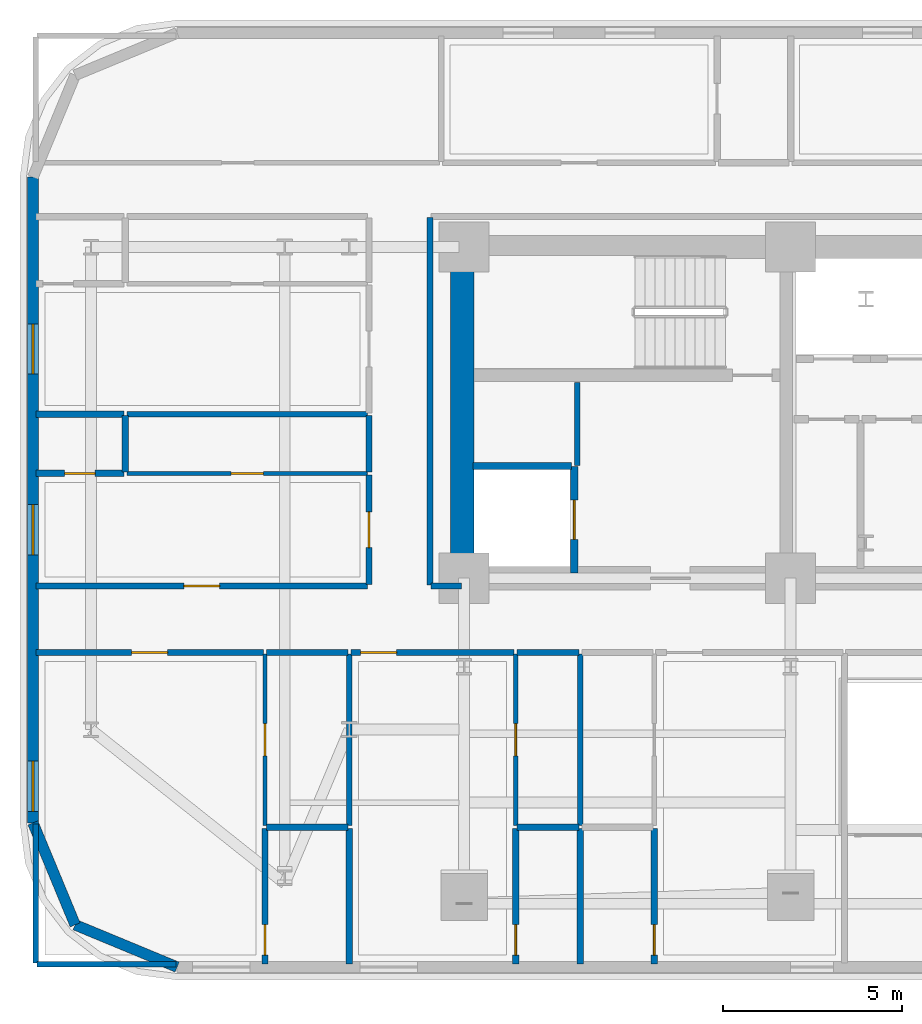
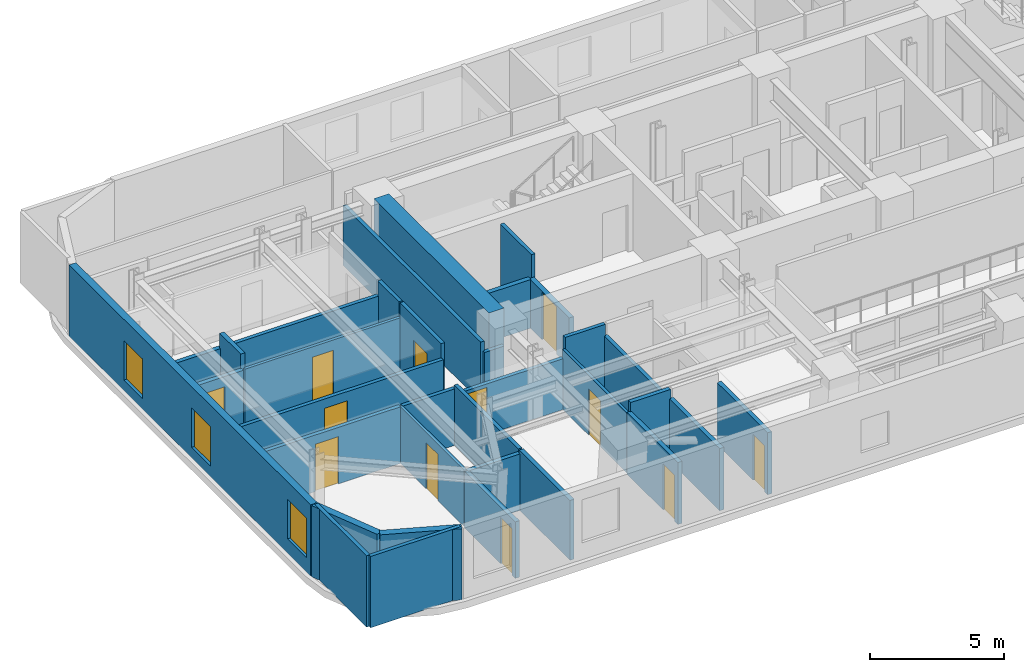
# One storey, part 8 of 16: 34 walls, 12 doors, 3 windows, 15 openings.
"""IFC4 building model written with IfcOpenShell, lengths in metres."""

import ifcopenshell
import ifcopenshell.guid

model = None  # the IFC model being written
_history = None  # IfcOwnerHistory: only IFC2X3 demands one
_inside = {}  # id of a spatial element -> (the spatial element, [elements in it])
_under = {}  # id of a project, library or spatial element -> (it, [spatial elements below it])
_declared = {}  # id of a project -> (the project, [libraries it declares])
_typed = {}  # id of a type object -> (the type object, [elements of that type])
_made_of = {}  # id of a material, layer set ... -> (it, [elements and type objects made of it])


def new_model(schema):
    """Start an empty IFC model of exactly this schema.

    Asked for "IFC4X3", IfcOpenShell would pick the latest addendum, in which some entities
    have other attributes; the version numbers below select the first issue.
    IFC2X3 requires an IfcOwnerHistory on every rooted entity: one is made here for all.
    """
    global model, _history
    if schema == "IFC4X3":
        model = ifcopenshell.file(schema_version=(4, 3, 0, 0))
    else:
        model = ifcopenshell.file(schema=schema)
    _inside.clear()
    _under.clear()
    _declared.clear()
    _typed.clear()
    _made_of.clear()
    _history = None
    if model.schema == "IFC2X3":
        org = make("IfcOrganization", Name="unknown")
        user = make(
            "IfcPersonAndOrganization",
            ThePerson=make("IfcPerson", FamilyName="unknown"),
            TheOrganization=org,
        )
        app = make(
            "IfcApplication",
            ApplicationDeveloper=org,
            Version="unknown",
            ApplicationFullName="unknown",
            ApplicationIdentifier="unknown",
        )
        _history = make(
            "IfcOwnerHistory",
            OwningUser=user,
            OwningApplication=app,
            ChangeAction="ADDED",
            CreationDate=0,
        )
    return model


def make(cls, **values):
    """One entity of the class cls with the attributes given. An attribute that is None is left unset."""
    return model.create_entity(
        cls, **{name: value for name, value in values.items() if value is not None}
    )


def rooted(cls, **values):
    """An entity with a GlobalId (a new one), such as an element, a storey or a relation."""
    return make(cls, GlobalId=ifcopenshell.guid.new(), OwnerHistory=_history, **values)


def si_unit(unit_type, name, prefix=None):
    """IfcSIUnit, for example si_unit("LENGTHUNIT", "METRE", prefix="MILLI")."""
    return make("IfcSIUnit", UnitType=unit_type, Prefix=prefix, Name=name)


def assignment(units):
    """IfcUnitAssignment: the units of a project."""
    return None if units is None else make("IfcUnitAssignment", Units=units)


def point(xyz):
    """IfcCartesianPoint."""
    return None if xyz is None else make("IfcCartesianPoint", Coordinates=xyz)


def direction(xyz):
    """IfcDirection."""
    return None if xyz is None else make("IfcDirection", DirectionRatios=xyz)


def frame(location, z_axis=None, x_axis=None):
    """IfcAxis2Placement3D, a coordinate frame: its origin and axes. An axis left out is left unset."""
    return make(
        "IfcAxis2Placement3D",
        Location=point(location),
        Axis=direction(z_axis),
        RefDirection=direction(x_axis),
    )


def frame_2d(location, x_axis=None):
    """IfcAxis2Placement2D, a coordinate frame in the plane: its origin and x axis."""
    return make(
        "IfcAxis2Placement2D", Location=point(location), RefDirection=direction(x_axis)
    )


def origin():
    """The frame at (0, 0, 0) with its axes left unset."""
    return frame((0.0, 0.0, 0.0))


def place(relative_to, where):
    """IfcLocalPlacement: puts the frame where relative to a parent placement (None: the world)."""
    return make(
        "IfcLocalPlacement", PlacementRelTo=relative_to, RelativePlacement=where
    )


def context(
    kind, dimensions, precision=None, world=None, true_north=None, identifier=None
):
    """IfcGeometricRepresentationContext, for example the 3D "Model" context."""
    return make(
        "IfcGeometricRepresentationContext",
        ContextIdentifier=identifier,
        ContextType=kind,
        CoordinateSpaceDimension=dimensions,
        Precision=precision,
        WorldCoordinateSystem=world,
        TrueNorth=true_north,
    )


def subcontext(parent, identifier, kind, view, scale=None):
    """IfcGeometricRepresentationSubContext, for example "Body" below "Model"."""
    return make(
        "IfcGeometricRepresentationSubContext",
        ContextIdentifier=identifier,
        ContextType=kind,
        ParentContext=parent,
        TargetScale=scale,
        TargetView=view,
    )


def project(units=None, contexts=None):
    """IfcProject with its units and contexts."""
    return rooted(
        "IfcProject",
        Name="project",
        RepresentationContexts=contexts,
        UnitsInContext=assignment(units),
    )


def spatial(cls, under=None, at=None, **own):
    """A site, building, storey or space (cls), placed at a placement, below another one or the project."""
    s = rooted(cls, ObjectPlacement=at, **own)
    if under is not None:
        _under.setdefault(under.id(), (under, []))[1].append(s)
    return s


def profile(cls, at=None, kind="AREA", **sizes):
    """A parametric profile (cls). Its sizes go by their IFC names, for example OverallWidth=200.0."""
    return make(cls, ProfileType=kind, Position=at, **sizes)


def rectangle(**sizes):
    """IfcRectangleProfileDef."""
    return profile("IfcRectangleProfileDef", **sizes)


def extrude(swept, where, along, depth):
    """IfcExtrudedAreaSolid: the profile swept, set in the frame where, extruded along a direction by depth."""
    return make(
        "IfcExtrudedAreaSolid",
        SweptArea=swept,
        Position=where,
        ExtrudedDirection=direction(along),
        Depth=depth,
    )


def shape(context_of_items, identifier, shape_type, items):
    """IfcShapeRepresentation: the items that make up one representation, for example the "Body"."""
    return make(
        "IfcShapeRepresentation",
        ContextOfItems=context_of_items,
        RepresentationIdentifier=identifier,
        RepresentationType=shape_type,
        Items=items,
    )


def material(Name=None, Category=None):
    """IfcMaterial."""
    return make("IfcMaterial", Name=Name, Category=Category)


def layer(
    of_material, thickness, ventilated=None, Name=None, Category=None, Priority=None
):
    """IfcMaterialLayer: one layer of a wall or slab, of a material (None: an air gap)."""
    return make(
        "IfcMaterialLayer",
        Material=of_material,
        LayerThickness=thickness,
        IsVentilated=ventilated,
        Name=Name,
        Category=Category,
        Priority=Priority,
    )


def layer_set(layers, Name=None):
    """IfcMaterialLayerSet."""
    return make("IfcMaterialLayerSet", MaterialLayers=layers, LayerSetName=Name)


def made_of(thing, what):
    """Note that an element or type object is made of a material, layer set ...; save() writes the relation."""
    if what is not None:
        _made_of.setdefault(what.id(), (what, []))[1].append(thing)
    return thing


def type_object(cls, material=None, **own):
    """A type object (cls), such as IfcWallType, which elements share."""
    return made_of(rooted(cls, **own), material)


def element(
    cls,
    number,
    at=None,
    inside=None,
    cuts=None,
    type_object=None,
    material=None,
    context=None,
    identifier="Body",
    shape_type=None,
    held_by="IfcProductDefinitionShape",
    body=None,
    shapes=None,
    **own,
):
    """One element of the class cls, such as IfcWall. Its Tag is "e" and its number.

    at: its placement. inside: the storey or other place that contains it. cuts: it is an
    opening in that element (IfcRelVoidsElement). A single representation is given by context,
    identifier, shape_type and body (its items); several are given by shapes. held_by: the class
    of the entity that holds the representations. save() writes the other relations.
    """
    e = rooted(cls, Tag="e%d" % number, ObjectPlacement=at, **own)
    if body is not None:
        shapes = [shape(context, identifier, shape_type, body)]
    if shapes is not None:
        e.Representation = make(held_by, Representations=shapes)
    if inside is not None:
        _inside.setdefault(inside.id(), (inside, []))[1].append(e)
    if cuts is not None:
        rooted(
            "IfcRelVoidsElement", RelatingBuildingElement=cuts, RelatedOpeningElement=e
        )
    if type_object is not None:
        _typed.setdefault(type_object.id(), (type_object, []))[1].append(e)
    return made_of(e, material)


def fill(opening, filler):
    """IfcRelFillsElement: the door or window that sits in an opening."""
    return rooted(
        "IfcRelFillsElement",
        RelatingOpeningElement=opening,
        RelatedBuildingElement=filler,
    )


def aggregate(whole, parts):
    """IfcRelAggregates: a whole, such as a stair, and the parts it consists of."""
    return rooted("IfcRelAggregates", RelatingObject=whole, RelatedObjects=parts)


def save(model, path):
    """Write the relations noted so far, then the file.

    IfcRelAggregates (storeys below a building ...), IfcRelContainedInSpatialStructure (elements
    in a storey), IfcRelDefinesByType, IfcRelAssociatesMaterial and IfcRelDeclares: one each for
    every whole, place, type object, material and project.
    """
    for whole, parts in _under.values():
        aggregate(whole, parts)
    for where, things in _inside.values():
        rooted(
            "IfcRelContainedInSpatialStructure",
            RelatedElements=things,
            RelatingStructure=where,
        )
    for kind, things in _typed.values():
        rooted("IfcRelDefinesByType", RelatedObjects=things, RelatingType=kind)
    for what, things in _made_of.values():
        rooted("IfcRelAssociatesMaterial", RelatedObjects=things, RelatingMaterial=what)
    for by, libraries in _declared.values():
        rooted("IfcRelDeclares", RelatingContext=by, RelatedDefinitions=libraries)
    model.write(path)


model = new_model("IFC4")

# Units and contexts
model_context = context("Model", 3, precision=1e-05, world=origin(), true_north=direction((0.0, 1.0)))
body_context = subcontext(model_context, "Body", "Model", "MODEL_VIEW")
ifc_project = project(units=[si_unit("LENGTHUNIT", "METRE"), si_unit("AREAUNIT", "SQUARE_METRE"), si_unit("VOLUMEUNIT", "CUBIC_METRE"), si_unit("PLANEANGLEUNIT", "RADIAN"), si_unit("MASSUNIT", "GRAM", prefix="KILO")], contexts=[model_context])

# Site, building, storey
site_placement = place(None, origin())
site = spatial("IfcSite", under=ifc_project, at=site_placement, CompositionType="ELEMENT")
building_placement = place(site_placement, origin())
building = spatial("IfcBuilding", under=site, at=building_placement, Name="Zarnavel Station Tower", CompositionType="ELEMENT")
storey_placement = place(building_placement, frame((0.0, 0.0, 79.300048828125)))
storey = spatial("IfcBuildingStorey", under=building, at=storey_placement, Name="L21", CompositionType="ELEMENT", Elevation=79.300048828125)

# Wall
ifc_material_1 = material(Name="Concrete C60/75", Category="concrete")
ifc_layer_1 = layer(ifc_material_1, 0.64990234375)
ifc_layer_set_1 = layer_set([ifc_layer_1], Name="CW_650")
wall_type_1 = type_object("IfcWallType", Name="CW_650", PredefinedType="SHEAR", material=ifc_layer_set_1)
wall_1_placement = place(storey_placement, frame((12.14990234375, 28.14501953125, 0.0), z_axis=(0.0, 0.0, 1.0), x_axis=(0.0, 1.0, 0.0)))
element("IfcWall", 1, at=wall_1_placement, inside=storey, type_object=wall_type_1, Name="L21 Rear Core Shear Wall W", PredefinedType="SHEAR", context=body_context, shape_type="SweptSolid", body=[
    extrude(rectangle(XDim=8.580078125, YDim=0.64990234375, at=frame_2d((4.2900390625, 0.0))), origin(), (0.0, 0.0, 1.0), 3.5),
])

# Wall, openings, windows
ifc_material_2 = material(Name="Precast concrete C45/55 (Dark Basalt Finish)", Category="masonry")
ifc_layer_2 = layer(ifc_material_2, 0.300048828125)
ifc_layer_set_2 = layer_set([ifc_layer_2], Name="EW_BASALT_300")
wall_type_2 = type_object("IfcWallType", Name="EW_BASALT_300", PredefinedType="SOLIDWALL", material=ifc_layer_set_2)
wall_2_placement = place(storey_placement, frame((0.179931640625, 21.0, 0.0), z_axis=(0.0, 0.0, 1.0), x_axis=(0.0, 1.0, 0.0)))
wall_2 = element("IfcWall", 2, at=wall_2_placement, inside=storey, type_object=wall_type_2, Name="L21 Exterior Basalt Masonry Frame Wall 09", PredefinedType="SOLIDWALL", context=body_context, shape_type="SweptSolid", body=[
    extrude(rectangle(XDim=18.0, YDim=0.300048828125, at=frame_2d((9.0, 0.0))), origin(), (0.0, 0.0, 1.0), 3.239990234375),
])
opening_1_placement = place(wall_2_placement, frame((7.470458984375, 0.0, 0.47998046875)))
opening_1 = element("IfcOpeningElement", 3, at=opening_1_placement, cuts=wall_2, Name="Opening WN01", PredefinedType="OPENING", context=body_context, shape_type="SweptSolid", body=[
    extrude(rectangle(XDim=1.39990234375, YDim=1.800048828125, at=frame_2d((0.699951171875, 0.89990234375))), frame((0.0, 0.159912109375, 0.0), z_axis=(0.0, -1.0, 0.0), x_axis=(1.0, 0.0, 0.0)), (0.0, 0.0, 1.0), 0.320068359375),
])
opening_2_placement = place(wall_2_placement, frame((12.509033203125, 0.0, 0.47998046875)))
opening_2 = element("IfcOpeningElement", 4, at=opening_2_placement, cuts=wall_2, Name="Opening WN01", PredefinedType="OPENING", context=body_context, shape_type="SweptSolid", body=[
    extrude(rectangle(XDim=1.39990234375, YDim=1.800048828125, at=frame_2d((0.699951171875, 0.89990234375))), frame((0.0, 0.159912109375, 0.0), z_axis=(0.0, -1.0, 0.0), x_axis=(1.0, 0.0, 0.0)), (0.0, 0.0, 1.0), 0.320068359375),
])
opening_3_placement = place(wall_2_placement, frame((0.320068359375, 0.0, 0.64990234375)))
opening_3 = element("IfcOpeningElement", 5, at=opening_3_placement, cuts=wall_2, Name="Opening WN01", PredefinedType="OPENING", context=body_context, shape_type="SweptSolid", body=[
    extrude(rectangle(XDim=1.39990234375, YDim=1.800048828125, at=frame_2d((0.699951171875, 0.89990234375))), frame((0.0, 0.159912109375, 0.0), z_axis=(0.0, -1.0, 0.0), x_axis=(1.0, 0.0, 0.0)), (0.0, 0.0, 1.0), 0.320068359375),
])
ifc_material_3 = material(Name="Thermally Broken Black Aluminium and Low-E Dark Glass", Category="aluminium")
window_type = type_object("IfcWindowType", Name="WN_1400x1800", PartitioningType="DOUBLE_PANEL_VERTICAL", PredefinedType="WINDOW", material=ifc_material_3)
window_1_placement = place(opening_1_placement, origin())
window_1 = element("IfcWindow", 6, at=window_1_placement, inside=storey, type_object=window_type, Name="L21 Recessed Facade Window 01", OverallHeight=1.800048828125, OverallWidth=1.39990234375, PartitioningType="SINGLE_PANEL", PredefinedType="WINDOW", context=body_context, shape_type="SweptSolid", body=[
    extrude(rectangle(XDim=1.39990234375, YDim=1.800048828125, at=frame_2d((0.699951171875, 0.89990234375))), frame((0.0, 0.030029296875, 0.0), z_axis=(0.0, -1.0, 0.0), x_axis=(1.0, 0.0, 0.0)), (0.0, 0.0, 1.0), 0.06005859375),
])
fill(opening_1, window_1)
window_2_placement = place(opening_2_placement, origin())
window_2 = element("IfcWindow", 7, at=window_2_placement, inside=storey, type_object=window_type, Name="L21 Recessed Facade Window 02", OverallHeight=1.800048828125, OverallWidth=1.39990234375, PartitioningType="SINGLE_PANEL", PredefinedType="WINDOW", context=body_context, shape_type="SweptSolid", body=[
    extrude(rectangle(XDim=1.39990234375, YDim=1.800048828125, at=frame_2d((0.699951171875, 0.89990234375))), frame((0.0, 0.030029296875, 0.0), z_axis=(0.0, -1.0, 0.0), x_axis=(1.0, 0.0, 0.0)), (0.0, 0.0, 1.0), 0.06005859375),
])
fill(opening_2, window_2)
window_3_placement = place(opening_3_placement, origin())
window_3 = element("IfcWindow", 8, at=window_3_placement, inside=storey, type_object=window_type, Name="L21 Recessed Facade Window 03", OverallHeight=1.800048828125, OverallWidth=1.39990234375, PartitioningType="SINGLE_PANEL", PredefinedType="WINDOW", context=body_context, shape_type="SweptSolid", body=[
    extrude(rectangle(XDim=1.39990234375, YDim=1.800048828125, at=frame_2d((0.699951171875, 0.89990234375))), frame((0.0, 0.030029296875, 0.0), z_axis=(0.0, -1.0, 0.0), x_axis=(1.0, 0.0, 0.0)), (0.0, 0.0, 1.0), 0.06005859375),
])
fill(opening_3, window_3)

# Walls
for number, where, z_axis, x_axis, name in (
    (9, (1.357421875, 18.157470703125, 0.0), (0.0, 0.0, 1.0), (-0.382704529509, 0.923870793506, 0.0), "L21 Exterior Basalt Masonry Frame Wall 10"),
    (10, (4.199951171875, 16.97998046875, 0.0), (0.0, 0.0, 1.0), (-0.923870793506, 0.382704529509, 0.0), "L21 Exterior Basalt Masonry Frame Wall 11"),
):
    element("IfcWall", number, at=place(storey_placement, frame(where, z_axis=z_axis, x_axis=x_axis)), inside=storey, type_object=wall_type_2, Name=name, PredefinedType="SOLIDWALL", context=body_context, shape_type="SweptSolid", body=[
        extrude(rectangle(XDim=3.07666015625, YDim=0.300048828125, at=frame_2d((1.538330078125, 0.0))), origin(), (0.0, 0.0, 1.0), 3.239990234375),
    ])

# Wall, opening, door
ifc_material_4 = material(Name="Gypsum Twin-Stud Acoustic Fire Partition", Category="concrete")
ifc_layer_3 = layer(ifc_material_4, 0.159912109375)
ifc_layer_set_3 = layer_set([ifc_layer_3], Name="PT_DEMISE_160")
wall_type_3 = type_object("IfcWallType", Name="PT_DEMISE_160", PredefinedType="PARTITIONING", material=ifc_layer_set_3)
wall_3_placement = place(storey_placement, frame((0.260009765625, 27.60009765625, 0.0), z_axis=(0.0, 0.0, 1.0), x_axis=(1.0, 0.0, 0.0)))
wall_3 = element("IfcWall", 11, at=wall_3_placement, inside=storey, type_object=wall_type_3, Name="L21 Partition COR-S-FNW1R", PredefinedType="PARTITIONING", context=body_context, shape_type="SweptSolid", body=[
    extrude(rectangle(XDim=9.25, YDim=0.159912109375, at=frame_2d((4.625, 0.0))), origin(), (0.0, 0.0, 1.0), 2.570068359375),
])
opening_4_placement = place(wall_3_placement, frame((4.125, 0.0, 0.0)))
opening_4 = element("IfcOpeningElement", 12, at=opening_4_placement, cuts=wall_3, Name="Opening FD02", PredefinedType="OPENING", context=body_context, shape_type="SweptSolid", body=[
    extrude(rectangle(XDim=1.0, YDim=2.14990234375, at=frame_2d((0.5, 1.074951171875))), frame((0.0, 0.08984375, 0.0), z_axis=(0.0, -1.0, 0.0), x_axis=(1.0, 0.0, 0.0)), (0.0, 0.0, 1.0), 0.179931640625),
])
ifc_material_5 = material(Name="Painted Galvanised Steel and Hardwood Leaf", Category="steel")
door_type_1 = type_object("IfcDoorType", Name="ID_ENTRY_1000", OperationType="NOTDEFINED", PredefinedType="DOOR", material=ifc_material_5)
door_1_placement = place(opening_4_placement, origin())
door_1 = element("IfcDoor", 13, at=door_1_placement, inside=storey, type_object=door_type_1, Name="L21 Door COR-S-FNW1R", OperationType="SINGLE_SWING_LEFT", OverallHeight=2.14990234375, OverallWidth=1.0, PredefinedType="DOOR", context=body_context, shape_type="SweptSolid", body=[
    extrude(rectangle(XDim=1.0, YDim=2.14990234375, at=frame_2d((0.5, 1.074951171875))), frame((0.0, 0.02490234375, 0.0), z_axis=(0.0, -1.0, 0.0), x_axis=(1.0, 0.0, 0.0)), (0.0, 0.0, 1.0), 0.050048828125),
])
fill(opening_4, door_1)

wall_4_placement = place(storey_placement, frame((0.260009765625, 25.75, 0.0), z_axis=(0.0, 0.0, 1.0), x_axis=(1.0, 0.0, 0.0)))
wall_4 = element("IfcWall", 14, at=wall_4_placement, inside=storey, type_object=wall_type_3, Name="L21 Partition COR-S-HW1R", PredefinedType="PARTITIONING", context=body_context, shape_type="SweptSolid", body=[
    extrude(rectangle(XDim=6.35009765625, YDim=0.159912109375, at=frame_2d((3.175048828125, 0.0))), origin(), (0.0, 0.0, 1.0), 2.570068359375),
])
opening_5_placement = place(wall_4_placement, frame((2.675048828125, 0.0, 0.0)))
opening_5 = element("IfcOpeningElement", 15, at=opening_5_placement, cuts=wall_4, Name="Opening FD02", PredefinedType="OPENING", context=body_context, shape_type="SweptSolid", body=[
    extrude(rectangle(XDim=1.0, YDim=2.14990234375, at=frame_2d((0.5, 1.074951171875))), frame((0.0, 0.08984375, 0.0), z_axis=(0.0, -1.0, 0.0), x_axis=(1.0, 0.0, 0.0)), (0.0, 0.0, 1.0), 0.179931640625),
])
door_2_placement = place(opening_5_placement, origin())
door_2 = element("IfcDoor", 16, at=door_2_placement, inside=storey, type_object=door_type_1, Name="L21 Door COR-S-HW1R", OperationType="SINGLE_SWING_LEFT", OverallHeight=2.14990234375, OverallWidth=1.0, PredefinedType="DOOR", context=body_context, shape_type="SweptSolid", body=[
    extrude(rectangle(XDim=1.0, YDim=2.14990234375, at=frame_2d((0.5, 1.074951171875))), frame((0.0, 0.02490234375, 0.0), z_axis=(0.0, -1.0, 0.0), x_axis=(1.0, 0.0, 0.0)), (0.0, 0.0, 1.0), 0.050048828125),
])
fill(opening_5, door_2)

# Wall
wall_5_placement = place(storey_placement, frame((6.68994140625, 25.75, 0.0), z_axis=(0.0, 0.0, 1.0), x_axis=(1.0, 0.0, 0.0)))
element("IfcWall", 17, at=wall_5_placement, inside=storey, type_object=wall_type_3, Name="L21 Partition COR-S-HW1S", PredefinedType="PARTITIONING", context=body_context, shape_type="SweptSolid", body=[
    extrude(rectangle(XDim=2.27001953125, YDim=0.159912109375, at=frame_2d((1.135009765625, 0.0))), origin(), (0.0, 0.0, 1.0), 2.570068359375),
])

# Wall, opening, door
wall_6_placement = place(storey_placement, frame((9.0400390625, 25.75, 0.0), z_axis=(0.0, 0.0, 1.0), x_axis=(1.0, 0.0, 0.0)))
wall_6 = element("IfcWall", 18, at=wall_6_placement, inside=storey, type_object=wall_type_3, Name="L21 Partition COR-S-HW2R", PredefinedType="PARTITIONING", context=body_context, shape_type="SweptSolid", body=[
    extrude(rectangle(XDim=4.556884765625, YDim=0.159912109375, at=frame_2d((2.2783203125, 0.0))), origin(), (0.0, 0.0, 1.0), 2.31005859375),
])
opening_6_placement = place(wall_6_placement, frame((0.276611328125, 0.0, 0.0)))
opening_6 = element("IfcOpeningElement", 19, at=opening_6_placement, cuts=wall_6, Name="Opening FD02", PredefinedType="OPENING", context=body_context, shape_type="SweptSolid", body=[
    extrude(rectangle(XDim=1.0, YDim=2.14990234375, at=frame_2d((0.5, 1.074951171875))), frame((0.0, 0.08984375, 0.0), z_axis=(0.0, -1.0, 0.0), x_axis=(1.0, 0.0, 0.0)), (0.0, 0.0, 1.0), 0.179931640625),
])
door_3_placement = place(opening_6_placement, origin())
door_3 = element("IfcDoor", 20, at=door_3_placement, inside=storey, type_object=door_type_1, Name="L21 Door COR-S-HW2R", OperationType="SINGLE_SWING_RIGHT", OverallHeight=2.14990234375, OverallWidth=1.0, PredefinedType="DOOR", context=body_context, shape_type="SweptSolid", body=[
    extrude(rectangle(XDim=1.0, YDim=2.14990234375, at=frame_2d((0.5, 1.074951171875))), frame((0.0, 0.02490234375, 0.0), z_axis=(0.0, -1.0, 0.0), x_axis=(1.0, 0.0, 0.0)), (0.0, 0.0, 1.0), 0.050048828125),
])
fill(opening_6, door_3)

# Wall
wall_7_placement = place(storey_placement, frame((13.677001953125, 25.75, 0.0), z_axis=(0.0, 0.0, 1.0), x_axis=(1.0, 0.0, 0.0)))
element("IfcWall", 21, at=wall_7_placement, inside=storey, type_object=wall_type_3, Name="L21 Partition COR-S-HW2S", PredefinedType="PARTITIONING", context=body_context, shape_type="SweptSolid", body=[
    extrude(rectangle(XDim=1.722900390625, YDim=0.159912109375, at=frame_2d((0.861328125, 0.0))), origin(), (0.0, 0.0, 1.0), 3.239990234375),
])

# Wall, opening, door
wall_8_placement = place(storey_placement, frame((9.550048828125, 27.639892578125, 0.0), z_axis=(0.0, 0.0, 1.0), x_axis=(0.0, 1.0, 0.0)))
wall_8 = element("IfcWall", 22, at=wall_8_placement, inside=storey, type_object=wall_type_3, Name="L21 Partition COR-W-FNW1R", PredefinedType="PARTITIONING", context=body_context, shape_type="SweptSolid", body=[
    extrude(rectangle(XDim=3.06103515625, YDim=0.159912109375, at=frame_2d((1.530517578125, 0.0))), origin(), (0.0, 0.0, 1.0), 3.239990234375),
])
opening_7_placement = place(wall_8_placement, frame((1.030517578125, 0.0, 0.0)))
opening_7 = element("IfcOpeningElement", 23, at=opening_7_placement, cuts=wall_8, Name="Opening FD02", PredefinedType="OPENING", context=body_context, shape_type="SweptSolid", body=[
    extrude(rectangle(XDim=1.0, YDim=2.14990234375, at=frame_2d((0.5, 1.074951171875))), frame((0.0, 0.08984375, 0.0), z_axis=(0.0, -1.0, 0.0), x_axis=(1.0, 0.0, 0.0)), (0.0, 0.0, 1.0), 0.179931640625),
])
door_4_placement = place(opening_7_placement, origin())
door_4 = element("IfcDoor", 24, at=door_4_placement, inside=storey, type_object=door_type_1, Name="L21 Door COR-W-FNW1R", OperationType="SINGLE_SWING_LEFT", OverallHeight=2.14990234375, OverallWidth=1.0, PredefinedType="DOOR", context=body_context, shape_type="SweptSolid", body=[
    extrude(rectangle(XDim=1.0, YDim=2.14990234375, at=frame_2d((0.5, 1.074951171875))), frame((0.0, 0.02490234375, 0.0), z_axis=(0.0, -1.0, 0.0), x_axis=(1.0, 0.0, 0.0)), (0.0, 0.0, 1.0), 0.050048828125),
])
fill(opening_7, door_4)

# Walls
wall_9_placement = place(storey_placement, frame((9.550048828125, 30.781005859375, 0.0), z_axis=(0.0, 0.0, 1.0), x_axis=(0.0, 1.0, 0.0)))
element("IfcWall", 25, at=wall_9_placement, inside=storey, type_object=wall_type_3, Name="L21 Partition COR-W-FNW1S", PredefinedType="PARTITIONING", context=body_context, shape_type="SweptSolid", body=[
    extrude(rectangle(XDim=1.570068359375, YDim=0.159912109375, at=frame_2d((0.78515625, 0.0))), origin(), (0.0, 0.0, 1.0), 3.239990234375),
])
wall_10_placement = place(storey_placement, frame((2.800048828125, 32.39111328125, 0.0), z_axis=(0.0, 0.0, 1.0), x_axis=(1.0, 0.0, 0.0)))
element("IfcWall", 26, at=wall_10_placement, inside=storey, type_object=wall_type_3, Name="L21 Partition FNW1S-FNW2R", PredefinedType="PARTITIONING", context=body_context, shape_type="SweptSolid", body=[
    extrude(rectangle(XDim=6.7099609375, YDim=0.159912109375, at=frame_2d((3.35498046875, 0.0))), origin(), (0.0, 0.0, 1.0), 2.570068359375),
])
for number, where, z_axis, x_axis, name in (
    (27, (9.0, 20.924072265625, 0.0), (0.0, 0.0, 1.0), (0.0, 1.0, 0.0), "L21 Partition HW1S-HW2R"),
    (28, (15.43994140625, 20.924072265625, 0.0), (0.0, 0.0, 1.0), (0.0, 1.0, 0.0), "L21 Partition HW2S-HW3S"),
):
    element("IfcWall", number, at=place(storey_placement, frame(where, z_axis=z_axis, x_axis=x_axis)), inside=storey, type_object=wall_type_3, Name=name, PredefinedType="PARTITIONING", context=body_context, shape_type="SweptSolid", body=[
        extrude(rectangle(XDim=4.785888671875, YDim=0.159912109375, at=frame_2d((2.39306640625, 0.0))), origin(), (0.0, 0.0, 1.0), 2.719970703125),
    ])
wall_11_placement = place(storey_placement, frame((15.35009765625, 30.9599609375, 0.0), z_axis=(0.0, 0.0, 1.0), x_axis=(0.0, 1.0, 0.0)))
element("IfcWall", 29, at=wall_11_placement, inside=storey, type_object=wall_type_3, Name="L21 Enclosure Wall FFL1", PredefinedType="PARTITIONING", context=body_context, shape_type="SweptSolid", body=[
    extrude(rectangle(XDim=2.31005859375, YDim=0.159912109375, at=frame_2d((1.155029296875, 0.0))), origin(), (0.0, 0.0, 1.0), 3.239990234375),
])
wall_12_placement = place(storey_placement, frame((11.280029296875, 27.60009765625, 0.0), z_axis=(0.0, 0.0, 1.0), x_axis=(1.0, 0.0, 0.0)))
element("IfcWall", 30, at=wall_12_placement, inside=storey, type_object=wall_type_3, Name="L21 Enclosure Wall COR-S", PredefinedType="PARTITIONING", context=body_context, shape_type="SweptSolid", body=[
    extrude(rectangle(XDim=0.840087890625, YDim=0.159912109375, at=frame_2d((0.419921875, 0.0))), origin(), (0.0, 0.0, 1.0), 2.280029296875),
])
wall_13_placement = place(storey_placement, frame((11.25, 27.6298828125, 0.0), z_axis=(0.0, 0.0, 1.0), x_axis=(0.0, 1.0, 0.0)))
element("IfcWall", 31, at=wall_13_placement, inside=storey, type_object=wall_type_3, Name="L21 Enclosure Wall COR-W", PredefinedType="PARTITIONING", context=body_context, shape_type="SweptSolid", body=[
    extrude(rectangle(XDim=10.240234375, YDim=0.159912109375, at=frame_2d((5.1201171875, 0.0))), origin(), (0.0, 0.0, 1.0), 2.719970703125),
])
for number, where, z_axis, x_axis, name in (
    (32, (0.2900390625, 17.06005859375, 0.0), (0.0, 0.0, 1.0), (1.0, 0.0, 0.0), "L21 Enclosure Wall HW1R"),
    (33, (0.260009765625, 17.090087890625, 0.0), (0.0, 0.0, 1.0), (0.0, 1.0, 0.0), "L21 Enclosure Wall HW1R"),
):
    element("IfcWall", number, at=place(storey_placement, frame(where, z_axis=z_axis, x_axis=x_axis)), inside=storey, type_object=wall_type_3, Name=name, PredefinedType="PARTITIONING", context=body_context, shape_type="SweptSolid", body=[
        extrude(rectangle(XDim=3.8798828125, YDim=0.159912109375, at=frame_2d((1.93994140625, 0.0))), origin(), (0.0, 0.0, 1.0), 3.239990234375),
    ])

# Wall, opening, door
ifc_material_6 = material(Name="Gypsum Metal-Stud Interior Partition", Category="concrete")
ifc_layer_4 = layer(ifc_material_6, 0.1201171875)
ifc_layer_set_4 = layer_set([ifc_layer_4], Name="PT_ROOM_120")
wall_type_4 = type_object("IfcWallType", Name="PT_ROOM_120", PredefinedType="PARTITIONING", material=ifc_layer_set_4)
wall_14_placement = place(storey_placement, frame((2.800048828125, 30.740966796875, 0.0), z_axis=(0.0, 0.0, 1.0), x_axis=(1.0, 0.0, 0.0)))
wall_14 = element("IfcWall", 34, at=wall_14_placement, inside=storey, type_object=wall_type_4, Name="L21 Partition FNW1R-FNW1S", PredefinedType="PARTITIONING", context=body_context, shape_type="SweptSolid", body=[
    extrude(rectangle(XDim=6.7099609375, YDim=0.1201171875, at=frame_2d((3.35498046875, 0.0))), origin(), (0.0, 0.0, 1.0), 2.570068359375),
])
opening_8_placement = place(wall_14_placement, frame((2.905029296875, 0.0, 0.0)))
opening_8 = element("IfcOpeningElement", 35, at=opening_8_placement, cuts=wall_14, Name="Opening ID01", PredefinedType="OPENING", context=body_context, shape_type="SweptSolid", body=[
    extrude(rectangle(XDim=0.89990234375, YDim=2.10009765625, at=frame_2d((0.449951171875, 1.050048828125))), frame((0.0, 0.070068359375, 0.0), z_axis=(0.0, -1.0, 0.0), x_axis=(1.0, 0.0, 0.0)), (0.0, 0.0, 1.0), 0.14013671875),
])
ifc_material_7 = material(Name="Painted Galvanised Steel and Hardwood Leaf", Category="steel")
door_type_2 = type_object("IfcDoorType", Name="ID_ROOM_900", OperationType="NOTDEFINED", PredefinedType="DOOR", material=ifc_material_7)
door_5_placement = place(opening_8_placement, origin())
door_5 = element("IfcDoor", 36, at=door_5_placement, inside=storey, type_object=door_type_2, Name="L21 Door FNW1R-FNW1S", OperationType="SINGLE_SWING_RIGHT", OverallHeight=2.10009765625, OverallWidth=0.89990234375, PredefinedType="DOOR", context=body_context, shape_type="SweptSolid", body=[
    extrude(rectangle(XDim=0.89990234375, YDim=2.10009765625, at=frame_2d((0.449951171875, 1.050048828125))), frame((0.0, 0.02490234375, 0.0), z_axis=(0.0, -1.0, 0.0), x_axis=(1.0, 0.0, 0.0)), (0.0, 0.0, 1.0), 0.050048828125),
])
fill(opening_8, door_5)

wall_15_placement = place(storey_placement, frame((6.64990234375, 20.924072265625, 0.0), z_axis=(0.0, 0.0, 1.0), x_axis=(0.0, 1.0, 0.0)))
wall_15 = element("IfcWall", 37, at=wall_15_placement, inside=storey, type_object=wall_type_4, Name="L21 Partition HW1R-HW1S", PredefinedType="PARTITIONING", context=body_context, shape_type="SweptSolid", body=[
    extrude(rectangle(XDim=4.785888671875, YDim=0.1201171875, at=frame_2d((2.39306640625, 0.0))), origin(), (0.0, 0.0, 1.0), 2.570068359375),
])
opening_9_placement = place(wall_15_placement, frame((1.943115234375, 0.0, 0.0)))
opening_9 = element("IfcOpeningElement", 38, at=opening_9_placement, cuts=wall_15, Name="Opening ID01", PredefinedType="OPENING", context=body_context, shape_type="SweptSolid", body=[
    extrude(rectangle(XDim=0.89990234375, YDim=2.10009765625, at=frame_2d((0.449951171875, 1.050048828125))), frame((0.0, 0.070068359375, 0.0), z_axis=(0.0, -1.0, 0.0), x_axis=(1.0, 0.0, 0.0)), (0.0, 0.0, 1.0), 0.14013671875),
])
door_6_placement = place(opening_9_placement, origin())
door_6 = element("IfcDoor", 39, at=door_6_placement, inside=storey, type_object=door_type_2, Name="L21 Door HW1R-HW1S", OperationType="SINGLE_SWING_LEFT", OverallHeight=2.10009765625, OverallWidth=0.89990234375, PredefinedType="DOOR", context=body_context, shape_type="SweptSolid", body=[
    extrude(rectangle(XDim=0.89990234375, YDim=2.10009765625, at=frame_2d((0.449951171875, 1.050048828125))), frame((0.0, 0.02490234375, 0.0), z_axis=(0.0, -1.0, 0.0), x_axis=(1.0, 0.0, 0.0)), (0.0, 0.0, 1.0), 0.050048828125),
])
fill(opening_9, door_6)

wall_16_placement = place(storey_placement, frame((13.636962890625, 20.924072265625, 0.0), z_axis=(0.0, 0.0, 1.0), x_axis=(0.0, 1.0, 0.0)))
wall_16 = element("IfcWall", 40, at=wall_16_placement, inside=storey, type_object=wall_type_4, Name="L21 Partition HW2R-HW2S", PredefinedType="PARTITIONING", context=body_context, shape_type="SweptSolid", body=[
    extrude(rectangle(XDim=4.785888671875, YDim=0.1201171875, at=frame_2d((2.39306640625, 0.0))), origin(), (0.0, 0.0, 1.0), 2.719970703125),
])
opening_10_placement = place(wall_16_placement, frame((1.943115234375, 0.0, 0.0)))
opening_10 = element("IfcOpeningElement", 41, at=opening_10_placement, cuts=wall_16, Name="Opening ID01", PredefinedType="OPENING", context=body_context, shape_type="SweptSolid", body=[
    extrude(rectangle(XDim=0.89990234375, YDim=2.10009765625, at=frame_2d((0.449951171875, 1.050048828125))), frame((0.0, 0.070068359375, 0.0), z_axis=(0.0, -1.0, 0.0), x_axis=(1.0, 0.0, 0.0)), (0.0, 0.0, 1.0), 0.14013671875),
])
door_7_placement = place(opening_10_placement, origin())
door_7 = element("IfcDoor", 42, at=door_7_placement, inside=storey, type_object=door_type_2, Name="L21 Door HW2R-HW2S", OperationType="SINGLE_SWING_LEFT", OverallHeight=2.10009765625, OverallWidth=0.89990234375, PredefinedType="DOOR", context=body_context, shape_type="SweptSolid", body=[
    extrude(rectangle(XDim=0.89990234375, YDim=2.10009765625, at=frame_2d((0.449951171875, 1.050048828125))), frame((0.0, 0.02490234375, 0.0), z_axis=(0.0, -1.0, 0.0), x_axis=(1.0, 0.0, 0.0)), (0.0, 0.0, 1.0), 0.050048828125),
])
fill(opening_10, door_7)

ifc_material_8 = material(Name="Precast concrete C45/55 (Fire Shaft Blockwork)", Category="masonry")
ifc_layer_5 = layer(ifc_material_8, 0.199951171875)
ifc_layer_set_5 = layer_set([ifc_layer_5], Name="PT_SHAFT_200")
wall_type_5 = type_object("IfcWallType", Name="PT_SHAFT_200", PredefinedType="PARTITIONING", material=ifc_layer_set_5)
wall_17_placement = place(storey_placement, frame((15.27001953125, 27.969970703125, 0.0), z_axis=(0.0, 0.0, 1.0), x_axis=(0.0, 1.0, 0.0)))
wall_17 = element("IfcWall", 43, at=wall_17_placement, inside=storey, type_object=wall_type_5, Name="L21 Lift FFL-01 Shaft Front Wall", PredefinedType="PARTITIONING", context=body_context, shape_type="SweptSolid", body=[
    extrude(rectangle(XDim=2.9599609375, YDim=0.199951171875, at=frame_2d((1.47998046875, 0.0))), origin(), (0.0, 0.0, 1.0), 2.2119140625),
])
opening_11_placement = place(wall_17_placement, frame((0.929931640625, 0.0, 0.0)))
opening_11 = element("IfcOpeningElement", 44, at=opening_11_placement, cuts=wall_17, Name="Opening LD01", PredefinedType="OPENING", context=body_context, shape_type="SweptSolid", body=[
    extrude(rectangle(XDim=1.10009765625, YDim=2.14990234375, at=frame_2d((0.550048828125, 1.074951171875))), frame((0.0, 0.10986328125, 0.0), z_axis=(0.0, -1.0, 0.0), x_axis=(1.0, 0.0, 0.0)), (0.0, 0.0, 1.0), 0.219970703125),
])
ifc_material_9 = material(Name="Painted Galvanised Steel and Hardwood Leaf", Category="steel")
door_type_3 = type_object("IfcDoorType", Name="LD_FF_1100", OperationType="DOUBLE_DOOR_SLIDING", PredefinedType="DOOR", material=ifc_material_9)
door_8_placement = place(opening_11_placement, origin())
door_8 = element("IfcDoor", 45, at=door_8_placement, inside=storey, type_object=door_type_3, Name="L21 Lift FFL-01 Sliding Landing Door", OperationType="DOUBLE_DOOR_SLIDING", OverallHeight=2.14990234375, OverallWidth=1.10009765625, PredefinedType="DOOR", context=body_context, shape_type="SweptSolid", body=[
    extrude(rectangle(XDim=1.10009765625, YDim=2.14990234375, at=frame_2d((0.550048828125, 1.074951171875))), frame((0.0, 0.02490234375, 0.0), z_axis=(0.0, -1.0, 0.0), x_axis=(1.0, 0.0, 0.0)), (0.0, 0.0, 1.0), 0.050048828125),
])
fill(opening_11, door_8)

# Wall
wall_18_placement = place(storey_placement, frame((12.449951171875, 30.949951171875, 0.0), z_axis=(0.0, 0.0, 1.0), x_axis=(1.0, 0.0, 0.0)))
element("IfcWall", 46, at=wall_18_placement, inside=storey, type_object=wall_type_5, Name="L21 Lift FFL-01 North Shaft Wall", PredefinedType="PARTITIONING", context=body_context, shape_type="SweptSolid", body=[
    extrude(rectangle(XDim=2.75, YDim=0.199951171875, at=frame_2d((1.375, 0.0))), origin(), (0.0, 0.0, 1.0), 2.2119140625),
])

# Wall, opening, door
ifc_material_10 = material(Name="Moisture-Resistant Plumbing Chase Wall", Category="concrete")
ifc_layer_6 = layer(ifc_material_10, 0.179931640625)
ifc_layer_set_6 = layer_set([ifc_layer_6], Name="PW_PLUMB_180")
wall_type_6 = type_object("IfcWallType", Name="PW_PLUMB_180", PredefinedType="PLUMBINGWALL", material=ifc_layer_set_6)
wall_19_placement = place(storey_placement, frame((0.260009765625, 30.740966796875, 0.0), z_axis=(0.0, 0.0, 1.0), x_axis=(1.0, 0.0, 0.0)))
wall_19 = element("IfcWall", 47, at=wall_19_placement, inside=storey, type_object=wall_type_6, Name="L21 Partition FNW1R-FNW1B", PredefinedType="PLUMBINGWALL", context=body_context, shape_type="SweptSolid", body=[
    extrude(rectangle(XDim=2.4599609375, YDim=0.179931640625, at=frame_2d((1.22998046875, 0.0))), origin(), (0.0, 0.0, 1.0), 2.570068359375),
])
opening_12_placement = place(wall_19_placement, frame((0.804931640625, 0.0, 0.0)))
opening_12 = element("IfcOpeningElement", 48, at=opening_12_placement, cuts=wall_19, Name="Opening ID02", PredefinedType="OPENING", context=body_context, shape_type="SweptSolid", body=[
    extrude(rectangle(XDim=0.85009765625, YDim=2.10009765625, at=frame_2d((0.425048828125, 1.050048828125))), frame((0.0, 0.099853515625, 0.0), z_axis=(0.0, -1.0, 0.0), x_axis=(1.0, 0.0, 0.0)), (0.0, 0.0, 1.0), 0.199951171875),
])
ifc_material_11 = material(Name="Painted Galvanised Steel and Hardwood Leaf", Category="steel")
door_type_4 = type_object("IfcDoorType", Name="ID_BATH_850", OperationType="NOTDEFINED", PredefinedType="DOOR", material=ifc_material_11)
door_9_placement = place(opening_12_placement, origin())
door_9 = element("IfcDoor", 49, at=door_9_placement, inside=storey, type_object=door_type_4, Name="L21 Door FNW1R-FNW1B", OperationType="SINGLE_SWING_LEFT", OverallHeight=2.10009765625, OverallWidth=0.85009765625, PredefinedType="DOOR", context=body_context, shape_type="SweptSolid", body=[
    extrude(rectangle(XDim=0.85009765625, YDim=2.10009765625, at=frame_2d((0.425048828125, 1.050048828125))), frame((0.0, 0.02490234375, 0.0), z_axis=(0.0, -1.0, 0.0), x_axis=(1.0, 0.0, 0.0)), (0.0, 0.0, 1.0), 0.050048828125),
])
fill(opening_12, door_9)

# Walls
wall_20_placement = place(storey_placement, frame((2.760009765625, 30.781005859375, 0.0), z_axis=(0.0, 0.0, 1.0), x_axis=(0.0, 1.0, 0.0)))
element("IfcWall", 50, at=wall_20_placement, inside=storey, type_object=wall_type_6, Name="L21 Partition FNW1B-FNW1S", PredefinedType="PLUMBINGWALL", context=body_context, shape_type="SweptSolid", body=[
    extrude(rectangle(XDim=1.570068359375, YDim=0.179931640625, at=frame_2d((0.78515625, 0.0))), origin(), (0.0, 0.0, 1.0), 3.239990234375),
])
wall_21_placement = place(storey_placement, frame((0.260009765625, 32.39111328125, 0.0), z_axis=(0.0, 0.0, 1.0), x_axis=(1.0, 0.0, 0.0)))
element("IfcWall", 51, at=wall_21_placement, inside=storey, type_object=wall_type_6, Name="L21 Partition FNW1B-FNW2R", PredefinedType="PLUMBINGWALL", context=body_context, shape_type="SweptSolid", body=[
    extrude(rectangle(XDim=2.4599609375, YDim=0.179931640625, at=frame_2d((1.22998046875, 0.0))), origin(), (0.0, 0.0, 1.0), 2.570068359375),
])

# Wall, opening, door
wall_22_placement = place(storey_placement, frame((6.64990234375, 17.06005859375, 0.0), z_axis=(0.0, 0.0, 1.0), x_axis=(0.0, 1.0, 0.0)))
wall_22 = element("IfcWall", 52, at=wall_22_placement, inside=storey, type_object=wall_type_6, Name="L21 Partition HW1R-HW1B", PredefinedType="PLUMBINGWALL", context=body_context, shape_type="SweptSolid", body=[
    extrude(rectangle(XDim=3.783935546875, YDim=0.179931640625, at=frame_2d((1.89208984375, 0.0))), origin(), (0.0, 0.0, 1.0), 2.570068359375),
])
opening_13_placement = place(wall_22_placement, frame((0.25048828125, 0.0, 0.0)))
opening_13 = element("IfcOpeningElement", 53, at=opening_13_placement, cuts=wall_22, Name="Opening ID02", PredefinedType="OPENING", context=body_context, shape_type="SweptSolid", body=[
    extrude(rectangle(XDim=0.85009765625, YDim=2.10009765625, at=frame_2d((0.425048828125, 1.050048828125))), frame((0.0, 0.099853515625, 0.0), z_axis=(0.0, -1.0, 0.0), x_axis=(1.0, 0.0, 0.0)), (0.0, 0.0, 1.0), 0.199951171875),
])
door_10_placement = place(opening_13_placement, origin())
door_10 = element("IfcDoor", 54, at=door_10_placement, inside=storey, type_object=door_type_4, Name="L21 Door HW1R-HW1B", OperationType="SINGLE_SWING_RIGHT", OverallHeight=2.10009765625, OverallWidth=0.85009765625, PredefinedType="DOOR", context=body_context, shape_type="SweptSolid", body=[
    extrude(rectangle(XDim=0.85009765625, YDim=2.10009765625, at=frame_2d((0.425048828125, 1.050048828125))), frame((0.0, 0.02490234375, 0.0), z_axis=(0.0, -1.0, 0.0), x_axis=(1.0, 0.0, 0.0)), (0.0, 0.0, 1.0), 0.050048828125),
])
fill(opening_13, door_10)

# Walls
wall_23_placement = place(storey_placement, frame((6.68994140625, 20.884033203125, 0.0), z_axis=(0.0, 0.0, 1.0), x_axis=(1.0, 0.0, 0.0)))
element("IfcWall", 55, at=wall_23_placement, inside=storey, type_object=wall_type_6, Name="L21 Partition HW1B-HW1S", PredefinedType="PLUMBINGWALL", context=body_context, shape_type="SweptSolid", body=[
    extrude(rectangle(XDim=2.27001953125, YDim=0.179931640625, at=frame_2d((1.135009765625, 0.0))), origin(), (0.0, 0.0, 1.0), 2.570068359375),
])
wall_24_placement = place(storey_placement, frame((9.0, 17.06005859375, 0.0), z_axis=(0.0, 0.0, 1.0), x_axis=(0.0, 1.0, 0.0)))
element("IfcWall", 56, at=wall_24_placement, inside=storey, type_object=wall_type_6, Name="L21 Partition HW1B-HW2R", PredefinedType="PLUMBINGWALL", context=body_context, shape_type="SweptSolid", body=[
    extrude(rectangle(XDim=3.783935546875, YDim=0.179931640625, at=frame_2d((1.89208984375, 0.0))), origin(), (0.0, 0.0, 1.0), 2.719970703125),
])

# Wall, opening, door
wall_25_placement = place(storey_placement, frame((13.636962890625, 20.843994140625, 0.0), z_axis=(0.0, 0.0, 1.0), x_axis=(0.0, -1.0, 0.0)))
wall_25 = element("IfcWall", 57, at=wall_25_placement, inside=storey, type_object=wall_type_6, Name="L21 Partition HW2R-HW2B", PredefinedType="PLUMBINGWALL", context=body_context, shape_type="SweptSolid", body=[
    extrude(rectangle(XDim=3.783935546875, YDim=0.179931640625, at=frame_2d((1.89208984375, 0.0))), origin(), (0.0, 0.0, 1.0), 2.820068359375),
])
opening_14_placement = place(wall_25_placement, frame((2.683349609375, 0.0, 0.0)))
opening_14 = element("IfcOpeningElement", 58, at=opening_14_placement, cuts=wall_25, Name="Opening ID02", PredefinedType="OPENING", context=body_context, shape_type="SweptSolid", body=[
    extrude(rectangle(XDim=0.85009765625, YDim=2.10009765625, at=frame_2d((0.425048828125, 1.050048828125))), frame((0.0, 0.099853515625, 0.0), z_axis=(0.0, -1.0, 0.0), x_axis=(1.0, 0.0, 0.0)), (0.0, 0.0, 1.0), 0.199951171875),
])
door_11_placement = place(opening_14_placement, origin())
door_11 = element("IfcDoor", 59, at=door_11_placement, inside=storey, type_object=door_type_4, Name="L21 Door HW2R-HW2B", OperationType="SINGLE_SWING_RIGHT", OverallHeight=2.10009765625, OverallWidth=0.85009765625, PredefinedType="DOOR", context=body_context, shape_type="SweptSolid", body=[
    extrude(rectangle(XDim=0.85009765625, YDim=2.10009765625, at=frame_2d((0.425048828125, 1.050048828125))), frame((0.0, 0.02490234375, 0.0), z_axis=(0.0, -1.0, 0.0), x_axis=(1.0, 0.0, 0.0)), (0.0, 0.0, 1.0), 0.050048828125),
])
fill(opening_14, door_11)

# Walls
wall_26_placement = place(storey_placement, frame((13.677001953125, 20.884033203125, 0.0), z_axis=(0.0, 0.0, 1.0), x_axis=(1.0, 0.0, 0.0)))
element("IfcWall", 60, at=wall_26_placement, inside=storey, type_object=wall_type_6, Name="L21 Partition HW2B-HW2S", PredefinedType="PLUMBINGWALL", context=body_context, shape_type="SweptSolid", body=[
    extrude(rectangle(XDim=1.722900390625, YDim=0.179931640625, at=frame_2d((0.861328125, 0.0))), origin(), (0.0, 0.0, 1.0), 3.239990234375),
])
wall_27_placement = place(storey_placement, frame((15.43994140625, 17.06005859375, 0.0), z_axis=(0.0, 0.0, 1.0), x_axis=(0.0, 1.0, 0.0)))
element("IfcWall", 61, at=wall_27_placement, inside=storey, type_object=wall_type_6, Name="L21 Partition HW2B-HW3B", PredefinedType="PLUMBINGWALL", context=body_context, shape_type="SweptSolid", body=[
    extrude(rectangle(XDim=3.783935546875, YDim=0.179931640625, at=frame_2d((1.89208984375, 0.0))), origin(), (0.0, 0.0, 1.0), 2.820068359375),
])

# Wall, opening, door
wall_28_placement = place(storey_placement, frame((17.5009765625, 17.06005859375, 0.0), z_axis=(0.0, 0.0, 1.0), x_axis=(0.0, 1.0, 0.0)))
wall_28 = element("IfcWall", 62, at=wall_28_placement, inside=storey, type_object=wall_type_6, Name="L21 Partition HW3R-HW3B", PredefinedType="PLUMBINGWALL", context=body_context, shape_type="SweptSolid", body=[
    extrude(rectangle(XDim=3.783935546875, YDim=0.179931640625, at=frame_2d((1.89208984375, 0.0))), origin(), (0.0, 0.0, 1.0), 2.820068359375),
])
opening_15_placement = place(wall_28_placement, frame((0.25048828125, 0.0, 0.0)))
opening_15 = element("IfcOpeningElement", 63, at=opening_15_placement, cuts=wall_28, Name="Opening ID02", PredefinedType="OPENING", context=body_context, shape_type="SweptSolid", body=[
    extrude(rectangle(XDim=0.85009765625, YDim=2.10009765625, at=frame_2d((0.425048828125, 1.050048828125))), frame((0.0, 0.099853515625, 0.0), z_axis=(0.0, -1.0, 0.0), x_axis=(1.0, 0.0, 0.0)), (0.0, 0.0, 1.0), 0.199951171875),
])
door_12_placement = place(opening_15_placement, origin())
door_12 = element("IfcDoor", 64, at=door_12_placement, inside=storey, type_object=door_type_4, Name="L21 Door HW3R-HW3B", OperationType="SINGLE_SWING_RIGHT", OverallHeight=2.10009765625, OverallWidth=0.85009765625, PredefinedType="DOOR", context=body_context, shape_type="SweptSolid", body=[
    extrude(rectangle(XDim=0.85009765625, YDim=2.10009765625, at=frame_2d((0.425048828125, 1.050048828125))), frame((0.0, 0.02490234375, 0.0), z_axis=(0.0, -1.0, 0.0), x_axis=(1.0, 0.0, 0.0)), (0.0, 0.0, 1.0), 0.050048828125),
])
fill(opening_15, door_12)

save(model, "model.ifc")
